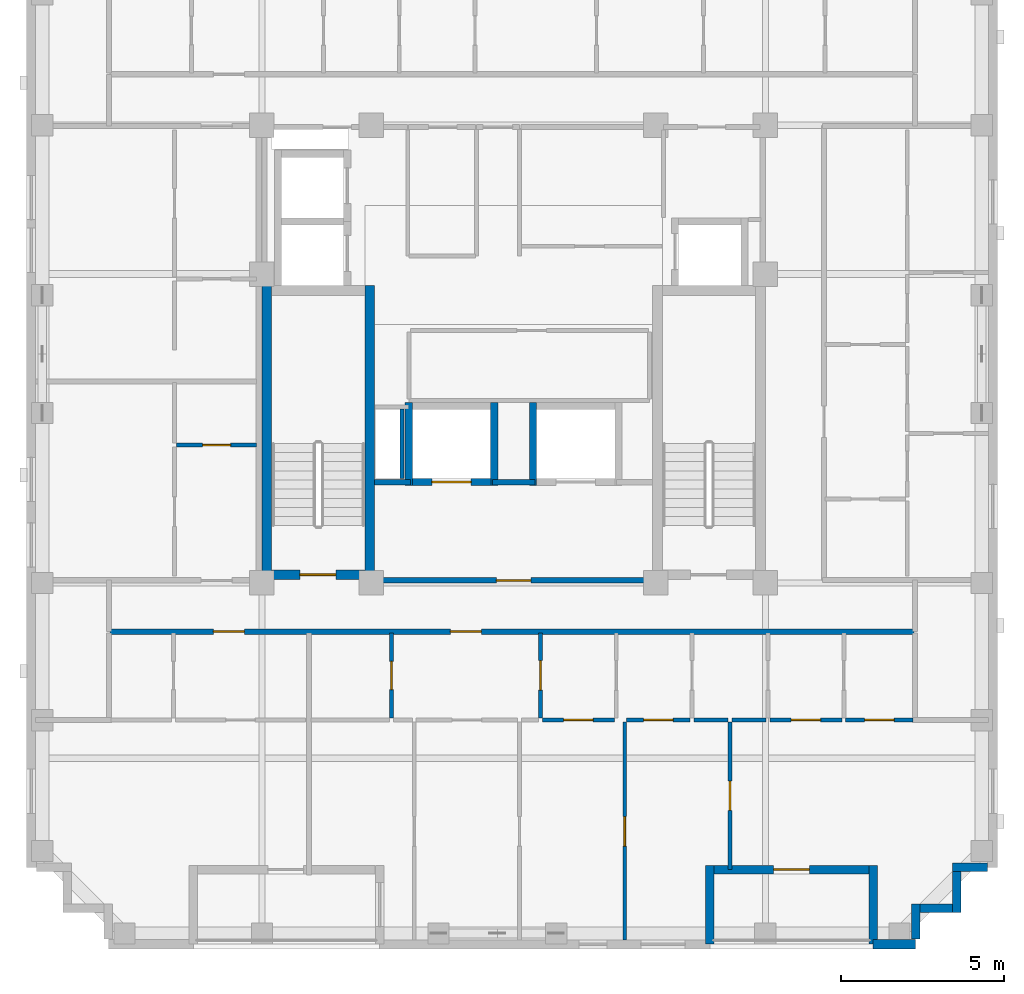
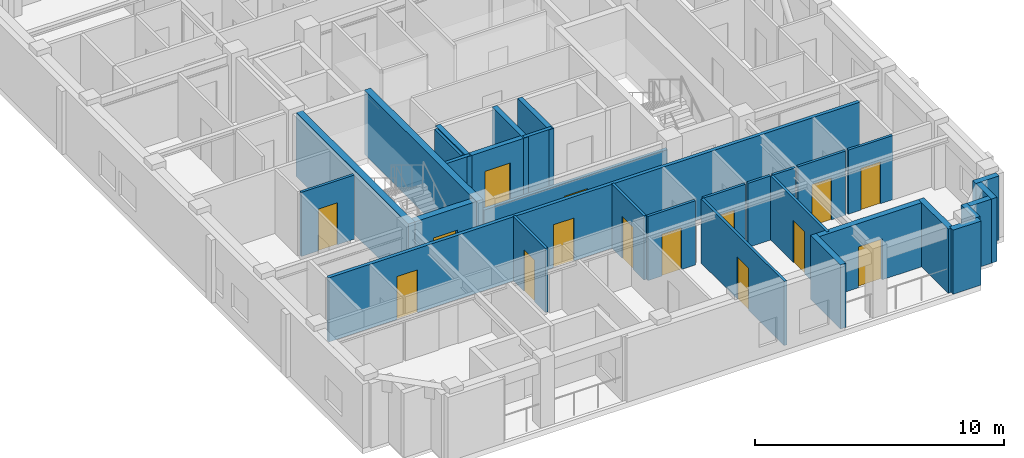
# One storey, part 3 of 11: 31 walls, 15 doors, 15 openings.
"""IFC4 building model written with IfcOpenShell, lengths in metres."""

from ifc_helpers import new_model, si_unit, derived_unit, direction, frame, frame_2d, origin, place, context, subcontext, project, spatial, rectangle, extrude, material, layer, layer_set, type_object, element, fill, save


model = new_model("IFC4")

# Units and contexts
model_context = context("Model", 3, precision=1e-05, world=origin(), true_north=direction((0.0, 1.0)))
body_context = subcontext(model_context, "Body", "Model", "MODEL_VIEW")
ifc_project = project(units=[si_unit("LENGTHUNIT", "METRE"), si_unit("AREAUNIT", "SQUARE_METRE"), si_unit("VOLUMEUNIT", "CUBIC_METRE"), si_unit("PLANEANGLEUNIT", "RADIAN"), si_unit("MASSUNIT", "GRAM", prefix="KILO"), derived_unit("THERMALTRANSMITTANCEUNIT", [(si_unit("MASSUNIT", "GRAM", prefix="KILO"), 1), (si_unit("TIMEUNIT", "SECOND"), -3), (si_unit("THERMODYNAMICTEMPERATUREUNIT", "KELVIN"), -1)])], contexts=[model_context])

# Site, building, storey
site_placement = place(None, origin())
site = spatial("IfcSite", under=ifc_project, at=site_placement, CompositionType="ELEMENT")
building_placement = place(site_placement, origin())
building = spatial("IfcBuilding", under=site, at=building_placement, Name="Korrvale Station Residences", CompositionType="ELEMENT")
storey_placement = place(building_placement, frame((0.0, 0.0, 244.5)))
storey = spatial("IfcBuildingStorey", under=building, at=storey_placement, Name="L71", CompositionType="ELEMENT", Elevation=244.5)

# Walls
ifc_material_1 = material(Name="Concrete C50/60", Category="concrete")
ifc_layer_1 = layer(ifc_material_1, 0.300048828125, Name="Concrete C50/60")
ifc_layer_set_1 = layer_set([ifc_layer_1], Name="Concrete C50/60")
wall_type_1 = type_object("IfcWallType", Name="WAL-CORE-300-C50", PredefinedType="SHEAR", material=ifc_layer_set_1)
for number, where, z_axis, x_axis, name in (
    (1, (17.949951171875, 15.10009765625, 0.0), (0.0, 0.0, 1.0), (0.0, 1.0, 0.0), "L71 ST-1 Core Shear Wall West"),
    (2, (21.10009765625, 15.10009765625, 0.0), (0.0, 0.0, 1.0), (0.0, 1.0, 0.0), "L71 ST-1 Core Shear Wall East"),
):
    element("IfcWall", number, at=place(storey_placement, frame(where, z_axis=z_axis, x_axis=x_axis)), inside=storey, type_object=wall_type_1, Name=name, PredefinedType="SHEAR", context=body_context, shape_type="SweptSolid", body=[
        extrude(rectangle(XDim=9.0, YDim=0.300048828125, at=frame_2d((4.5, 0.0))), origin(), (0.0, 0.0, 1.0), 3.139892578125),
    ])

# Wall, opening, door
wall_1_placement = place(storey_placement, frame((18.10009765625, 15.25, 0.0), z_axis=(0.0, 0.0, 1.0), x_axis=(1.0, 0.0, 0.0)))
wall_1 = element("IfcWall", 3, at=wall_1_placement, inside=storey, type_object=wall_type_1, Name="L71 ST-1 Core Shear Wall South", PredefinedType="SHEAR", context=body_context, shape_type="SweptSolid", body=[
    extrude(rectangle(XDim=2.849853515625, YDim=0.300048828125, at=frame_2d((1.4248046875, 0.0))), origin(), (0.0, 0.0, 1.0), 3.139892578125),
])
opening_1_placement = place(wall_1_placement, frame((0.860107421875, 0.0, 0.0)))
opening_1 = element("IfcOpeningElement", 4, at=opening_1_placement, cuts=wall_1, Name="Opening SD-1100", PredefinedType="OPENING", context=body_context, shape_type="SweptSolid", body=[
    extrude(rectangle(XDim=1.10009765625, YDim=2.050048828125, at=frame_2d((0.550048828125, 1.02490234375))), frame((0.0, 0.16015625, 0.0), z_axis=(0.0, -1.0, 0.0), x_axis=(1.0, 0.0, 0.0)), (0.0, 0.0, 1.0), 0.320068359375),
])
ifc_material_2 = material(Name="Hollow-metal fire-rated stair door with closer", Category="steel")
door_type_1 = type_object("IfcDoorType", Name="DR-STAIR-1100", OperationType="NOTDEFINED", PredefinedType="DOOR", material=ifc_material_2)
door_1_placement = place(opening_1_placement, origin())
door_1 = element("IfcDoor", 5, at=door_1_placement, inside=storey, type_object=door_type_1, Name="L71 ST-1 Exit Stair Door", OperationType="SINGLE_SWING_LEFT", OverallHeight=2.050048828125, OverallWidth=1.10009765625, PredefinedType="DOOR", context=body_context, shape_type="SweptSolid", body=[
    extrude(rectangle(XDim=1.10009765625, YDim=2.050048828125, at=frame_2d((0.550048828125, 1.02490234375))), frame((0.0, 0.02490234375, 0.0), z_axis=(0.0, -1.0, 0.0), x_axis=(1.0, 0.0, 0.0)), (0.0, 0.0, 1.0), 0.050048828125),
])
fill(opening_1, door_1)

# Wall
ifc_material_3 = material(Name="Precast concrete C45/55", Category="concrete")
ifc_layer_2 = layer(ifc_material_3, 0.260009765625, Name="Precast concrete C45/55")
ifc_layer_set_2 = layer_set([ifc_layer_2], Name="Precast concrete C45/55")
wall_type_2 = type_object("IfcWallType", Name="WAL-EXT-LOG260", PredefinedType="SOLIDWALL", material=ifc_layer_set_2)
wall_2_placement = place(storey_placement, frame((36.5, 3.9599609375, 0.0), z_axis=(0.0, 0.0, 1.0), x_axis=(0.0, 1.0, 0.0)))
element("IfcWall", 6, at=wall_2_placement, inside=storey, type_object=wall_type_2, Name="L71 Recessed Loggia Wall BAL-L71-S2-L", PredefinedType="SOLIDWALL", context=body_context, shape_type="SweptSolid", body=[
    extrude(rectangle(XDim=2.400146484375, YDim=0.260009765625, at=frame_2d((1.2001953125, 0.0))), origin(), (0.0, 0.0, 1.0), 3.139892578125),
])

# Wall, opening, door
wall_3_placement = place(storey_placement, frame((36.365966796875, 6.22998046875, 0.0), z_axis=(0.0, 0.0, 1.0), x_axis=(-1.0, 0.0, 0.0)))
wall_3 = element("IfcWall", 7, at=wall_3_placement, inside=storey, type_object=wall_type_2, Name="L71 Recessed Loggia Wall BAL-L71-S2-B", PredefinedType="SOLIDWALL", context=body_context, shape_type="SweptSolid", body=[
    extrude(rectangle(XDim=4.73193359375, YDim=0.260009765625, at=frame_2d((2.365966796875, 0.0))), origin(), (0.0, 0.0, 1.0), 3.139892578125),
])
opening_2_placement = place(wall_3_placement, frame((1.81591796875, 0.0, 0.0)))
opening_2 = element("IfcOpeningElement", 8, at=opening_2_placement, cuts=wall_3, Name="Opening BD-01", PredefinedType="OPENING", context=body_context, shape_type="SweptSolid", body=[
    extrude(rectangle(XDim=1.10009765625, YDim=2.0, at=frame_2d((0.550048828125, 1.0))), frame((0.0, 0.14013671875, 0.0), z_axis=(0.0, -1.0, 0.0), x_axis=(1.0, 0.0, 0.0)), (0.0, 0.0, 1.0), 0.280029296875),
])
ifc_material_4 = material(Name="Exterior thermally broken aluminium glazed balcony door", Category="aluminium")
door_type_2 = type_object("IfcDoorType", Name="DR-EXT-BAL", OperationType="NOTDEFINED", PredefinedType="DOOR", material=ifc_material_4)
door_2_placement = place(opening_2_placement, origin())
door_2 = element("IfcDoor", 9, at=door_2_placement, inside=storey, type_object=door_type_2, Name="L71 Loggia Balcony Door BAL-L71-S2", OperationType="SINGLE_SWING_RIGHT", OverallHeight=2.0, OverallWidth=1.10009765625, PredefinedType="DOOR", context=body_context, shape_type="SweptSolid", body=[
    extrude(rectangle(XDim=1.10009765625, YDim=2.0, at=frame_2d((0.550048828125, 1.0))), frame((0.0, 0.02490234375, 0.0), z_axis=(0.0, -1.0, 0.0), x_axis=(1.0, 0.0, 0.0)), (0.0, 0.0, 1.0), 0.050048828125),
])
fill(opening_2, door_2)

# Walls
wall_4_placement = place(storey_placement, frame((31.5, 6.360107421875, 0.0), z_axis=(0.0, 0.0, 1.0), x_axis=(0.0, -1.0, 0.0)))
element("IfcWall", 10, at=wall_4_placement, inside=storey, type_object=wall_type_2, Name="L71 Recessed Loggia Wall BAL-L71-S2-R", PredefinedType="SOLIDWALL", context=body_context, shape_type="SweptSolid", body=[
    extrude(rectangle(XDim=2.400146484375, YDim=0.260009765625, at=frame_2d((1.2001953125, 0.0))), origin(), (0.0, 0.0, 1.0), 3.139892578125),
])
wall_5_placement = place(storey_placement, frame((39.998046875, 6.300048828125, 0.0), z_axis=(0.0, 0.0, 1.0), x_axis=(-1.0, 0.0, 0.0)))
element("IfcWall", 11, at=wall_5_placement, inside=storey, type_object=wall_type_2, Name="L71 Serrated Corner Precast Step SE-1", PredefinedType="SOLIDWALL", context=body_context, shape_type="SweptSolid", body=[
    extrude(rectangle(XDim=1.078125, YDim=0.260009765625, at=frame_2d((0.5390625, 0.0))), origin(), (0.0, 0.0, 1.0), 3.139892578125),
])
wall_6_placement = place(storey_placement, frame((39.050048828125, 6.16796875, 0.0), z_axis=(0.0, 0.0, 1.0), x_axis=(0.0, -1.0, 0.0)))
element("IfcWall", 12, at=wall_6_placement, inside=storey, type_object=wall_type_2, Name="L71 Serrated Corner Precast Step SE-2", PredefinedType="SOLIDWALL", context=body_context, shape_type="SweptSolid", body=[
    extrude(rectangle(XDim=1.248046875, YDim=0.260009765625, at=frame_2d((0.6240234375, 0.0))), origin(), (0.0, 0.0, 1.0), 3.139892578125),
])
wall_7_placement = place(storey_placement, frame((38.91796875, 5.050048828125, 0.0), z_axis=(0.0, 0.0, 1.0), x_axis=(-1.0, 0.0, 0.0)))
element("IfcWall", 13, at=wall_7_placement, inside=storey, type_object=wall_type_2, Name="L71 Serrated Corner Precast Step SE-3", PredefinedType="SOLIDWALL", context=body_context, shape_type="SweptSolid", body=[
    extrude(rectangle(XDim=0.986083984375, YDim=0.260009765625, at=frame_2d((0.4931640625, 0.0))), origin(), (0.0, 0.0, 1.0), 3.139892578125),
])
wall_8_placement = place(storey_placement, frame((37.800048828125, 5.179931640625, 0.0), z_axis=(0.0, 0.0, 1.0), x_axis=(0.0, -1.0, 0.0)))
element("IfcWall", 14, at=wall_8_placement, inside=storey, type_object=wall_type_2, Name="L71 Serrated Corner Precast Step SE-4", PredefinedType="SOLIDWALL", context=body_context, shape_type="SweptSolid", body=[
    extrude(rectangle(XDim=1.077880859375, YDim=0.260009765625, at=frame_2d((0.5390625, 0.0))), origin(), (0.0, 0.0, 1.0), 3.139892578125),
])
ifc_layer_3 = layer(ifc_material_3, 0.300048828125, Name="Precast concrete C45/55")
ifc_layer_set_3 = layer_set([ifc_layer_3], Name="Precast concrete C45/55")
wall_type_3 = type_object("IfcWallType", Name="WAL-EXT-PC300", PredefinedType="SOLIDWALL", material=ifc_layer_set_3)
wall_9_placement = place(storey_placement, frame((37.800048828125, 3.949951171875, 0.0), z_axis=(0.0, 0.0, 1.0), x_axis=(-1.0, 0.0, 0.0)))
element("IfcWall", 15, at=wall_9_placement, inside=storey, type_object=wall_type_3, Name="L71 South Exterior Precast Wall 1", PredefinedType="SOLIDWALL", context=body_context, shape_type="SweptSolid", body=[
    extrude(rectangle(XDim=1.300048828125, YDim=0.300048828125, at=frame_2d((0.64990234375, 0.0))), origin(), (0.0, 0.0, 1.0), 3.139892578125),
])
ifc_material_5 = material(Name="Acoustic steel-stud gypsum board partition", Category="steel")
ifc_layer_4 = layer(ifc_material_5, 0.1201171875, Name="Acoustic steel-stud gypsum board partition")
ifc_layer_set_4 = layer_set([ifc_layer_4], Name="Acoustic steel-stud gypsum board partition")
wall_type_4 = type_object("IfcWallType", Name="WAL-PART-125", PredefinedType="PARTITIONING", material=ifc_layer_set_4)
wall_10_placement = place(storey_placement, frame((22.080078125, 18.199951171875, 0.0), z_axis=(0.0, 0.0, 1.0), x_axis=(0.0, 1.0, 0.0)))
element("IfcWall", 16, at=wall_10_placement, inside=storey, type_object=wall_type_4, Name="L71 Core Partition CW-RSWT", PredefinedType="PARTITIONING", context=body_context, shape_type="SweptSolid", body=[
    extrude(rectangle(XDim=2.1201171875, YDim=0.1201171875, at=frame_2d((1.06005859375, 0.0))), origin(), (0.0, 0.0, 1.0), 3.139892578125),
])

# Wall, opening, door
wall_11_placement = place(storey_placement, frame((21.759033203125, 10.8701171875, 0.0), z_axis=(0.0, 0.0, 1.0), x_axis=(0.0, 1.0, 0.0)))
wall_11 = element("IfcWall", 17, at=wall_11_placement, inside=storey, type_object=wall_type_4, Name="L71 Suite Partition U02-V01", PredefinedType="PARTITIONING", context=body_context, shape_type="SweptSolid", body=[
    extrude(rectangle(XDim=2.599853515625, YDim=0.1201171875, at=frame_2d((1.2998046875, 0.0))), origin(), (0.0, 0.0, 1.0), 3.139892578125),
])
opening_3_placement = place(wall_11_placement, frame((0.8701171875, 0.0, 0.0)))
opening_3 = element("IfcOpeningElement", 18, at=opening_3_placement, cuts=wall_11, Name="Opening DB-860", PredefinedType="OPENING", context=body_context, shape_type="SweptSolid", body=[
    extrude(rectangle(XDim=0.860107421875, YDim=2.050048828125, at=frame_2d((0.43017578125, 1.02490234375))), frame((0.0, 0.070068359375, 0.0), z_axis=(0.0, -1.0, 0.0), x_axis=(1.0, 0.0, 0.0)), (0.0, 0.0, 1.0), 0.14013671875),
])
ifc_material_6 = material(Name="Moisture-resistant solid-core bathroom door", Category="timber")
door_type_3 = type_object("IfcDoorType", Name="DR-BATH-860", OperationType="NOTDEFINED", PredefinedType="DOOR", material=ifc_material_6)
door_3_placement = place(opening_3_placement, origin())
door_3 = element("IfcDoor", 19, at=door_3_placement, inside=storey, type_object=door_type_3, Name="L71 Studio Apartment L71-U02 Bathroom Door", OperationType="SINGLE_SWING_LEFT", OverallHeight=2.050048828125, OverallWidth=0.860107421875, PredefinedType="DOOR", context=body_context, shape_type="SweptSolid", body=[
    extrude(rectangle(XDim=0.860107421875, YDim=2.050048828125, at=frame_2d((0.43017578125, 1.02490234375))), frame((0.0, 0.02490234375, 0.0), z_axis=(0.0, -1.0, 0.0), x_axis=(1.0, 0.0, 0.0)), (0.0, 0.0, 1.0), 0.050048828125),
])
fill(opening_3, door_3)

wall_12_placement = place(storey_placement, frame((26.319091796875, 10.8701171875, 0.0), z_axis=(0.0, 0.0, 1.0), x_axis=(0.0, 1.0, 0.0)))
wall_12 = element("IfcWall", 20, at=wall_12_placement, inside=storey, type_object=wall_type_4, Name="L71 Suite Partition U02-V12", PredefinedType="PARTITIONING", context=body_context, shape_type="SweptSolid", body=[
    extrude(rectangle(XDim=2.599853515625, YDim=0.1201171875, at=frame_2d((1.2998046875, 0.0))), origin(), (0.0, 0.0, 1.0), 3.139892578125),
])
opening_4_placement = place(wall_12_placement, frame((0.85009765625, 0.0, 0.0)))
opening_4 = element("IfcOpeningElement", 21, at=opening_4_placement, cuts=wall_12, Name="Opening DI-900", PredefinedType="OPENING", context=body_context, shape_type="SweptSolid", body=[
    extrude(rectangle(XDim=0.89990234375, YDim=2.050048828125, at=frame_2d((0.449951171875, 1.02490234375))), frame((0.0, 0.070068359375, 0.0), z_axis=(0.0, -1.0, 0.0), x_axis=(1.0, 0.0, 0.0)), (0.0, 0.0, 1.0), 0.14013671875),
])
ifc_material_7 = material(Name="Painted solid-core timber interior room door", Category="wood")
door_type_4 = type_object("IfcDoorType", Name="DR-INT-900", OperationType="NOTDEFINED", PredefinedType="DOOR", material=ifc_material_7)
door_4_placement = place(opening_4_placement, origin())
door_4 = element("IfcDoor", 22, at=door_4_placement, inside=storey, type_object=door_type_4, Name="L71 Studio Apartment L71-U02 Kitchen Door", OperationType="SINGLE_SWING_RIGHT", OverallHeight=2.050048828125, OverallWidth=0.89990234375, PredefinedType="DOOR", context=body_context, shape_type="SweptSolid", body=[
    extrude(rectangle(XDim=0.89990234375, YDim=2.050048828125, at=frame_2d((0.449951171875, 1.02490234375))), frame((0.0, 0.02490234375, 0.0), z_axis=(0.0, -1.0, 0.0), x_axis=(1.0, 0.0, 0.0)), (0.0, 0.0, 1.0), 0.050048828125),
])
fill(opening_4, door_4)

wall_13_placement = place(storey_placement, frame((26.37890625, 10.81005859375, 0.0), z_axis=(0.0, 0.0, 1.0), x_axis=(1.0, 0.0, 0.0)))
wall_13 = element("IfcWall", 23, at=wall_13_placement, inside=storey, type_object=wall_type_4, Name="L71 Suite Partition U02-H29", PredefinedType="PARTITIONING", context=body_context, shape_type="SweptSolid", body=[
    extrude(rectangle(XDim=2.2001953125, YDim=0.1201171875, at=frame_2d((1.10009765625, 0.0))), origin(), (0.0, 0.0, 1.0), 3.139892578125),
])
opening_5_placement = place(wall_13_placement, frame((0.64990234375, 0.0, 0.0)))
opening_5 = element("IfcOpeningElement", 24, at=opening_5_placement, cuts=wall_13, Name="Opening DI-900", PredefinedType="OPENING", context=body_context, shape_type="SweptSolid", body=[
    extrude(rectangle(XDim=0.89990234375, YDim=2.050048828125, at=frame_2d((0.449951171875, 1.02490234375))), frame((0.0, 0.070068359375, 0.0), z_axis=(0.0, -1.0, 0.0), x_axis=(1.0, 0.0, 0.0)), (0.0, 0.0, 1.0), 0.14013671875),
])
door_5_placement = place(opening_5_placement, origin())
door_5 = element("IfcDoor", 25, at=door_5_placement, inside=storey, type_object=door_type_4, Name="L71 Studio Apartment L71-U02 Wardrobe Storage Room Door", OperationType="SINGLE_SWING_LEFT", OverallHeight=2.050048828125, OverallWidth=0.89990234375, PredefinedType="DOOR", context=body_context, shape_type="SweptSolid", body=[
    extrude(rectangle(XDim=0.89990234375, YDim=2.050048828125, at=frame_2d((0.449951171875, 1.02490234375))), frame((0.0, 0.02490234375, 0.0), z_axis=(0.0, -1.0, 0.0), x_axis=(1.0, 0.0, 0.0)), (0.0, 0.0, 1.0), 0.050048828125),
])
fill(opening_5, door_5)

wall_14_placement = place(storey_placement, frame((28.958984375, 10.81005859375, 0.0), z_axis=(0.0, 0.0, 1.0), x_axis=(1.0, 0.0, 0.0)))
wall_14 = element("IfcWall", 26, at=wall_14_placement, inside=storey, type_object=wall_type_4, Name="L71 Suite Partition U02-H310", PredefinedType="PARTITIONING", context=body_context, shape_type="SweptSolid", body=[
    extrude(rectangle(XDim=1.93994140625, YDim=0.1201171875, at=frame_2d((0.969970703125, 0.0))), origin(), (0.0, 0.0, 1.0), 3.139892578125),
])
opening_6_placement = place(wall_14_placement, frame((0.52001953125, 0.0, 0.0)))
opening_6 = element("IfcOpeningElement", 27, at=opening_6_placement, cuts=wall_14, Name="Opening DI-900", PredefinedType="OPENING", context=body_context, shape_type="SweptSolid", body=[
    extrude(rectangle(XDim=0.89990234375, YDim=2.050048828125, at=frame_2d((0.449951171875, 1.02490234375))), frame((0.0, 0.070068359375, 0.0), z_axis=(0.0, -1.0, 0.0), x_axis=(1.0, 0.0, 0.0)), (0.0, 0.0, 1.0), 0.14013671875),
])
door_6_placement = place(opening_6_placement, origin())
door_6 = element("IfcDoor", 28, at=door_6_placement, inside=storey, type_object=door_type_4, Name="L71 Studio Apartment L71-U02 Wardrobe Storage Room Door", OperationType="SINGLE_SWING_LEFT", OverallHeight=2.050048828125, OverallWidth=0.89990234375, PredefinedType="DOOR", context=body_context, shape_type="SweptSolid", body=[
    extrude(rectangle(XDim=0.89990234375, YDim=2.050048828125, at=frame_2d((0.449951171875, 1.02490234375))), frame((0.0, 0.02490234375, 0.0), z_axis=(0.0, -1.0, 0.0), x_axis=(1.0, 0.0, 0.0)), (0.0, 0.0, 1.0), 0.050048828125),
])
fill(opening_6, door_6)

# Walls
for number, where, z_axis, x_axis, name in (
    (29, (31.01904296875, 10.81005859375, 0.0), (0.0, 0.0, 1.0), (1.0, 0.0, 0.0), "L71 Suite Partition U02-H410"),
    (30, (32.178955078125, 10.81005859375, 0.0), (0.0, 0.0, 1.0), (1.0, 0.0, 0.0), "L71 Suite Partition U02-H411"),
):
    element("IfcWall", number, at=place(storey_placement, frame(where, z_axis=z_axis, x_axis=x_axis)), inside=storey, type_object=wall_type_4, Name=name, PredefinedType="PARTITIONING", context=body_context, shape_type="SweptSolid", body=[
        extrude(rectangle(XDim=1.0400390625, YDim=0.1201171875, at=frame_2d((0.52001953125, 0.0))), origin(), (0.0, 0.0, 1.0), 3.139892578125),
    ])

# Wall, opening, door
wall_15_placement = place(storey_placement, frame((33.339111328125, 10.81005859375, 0.0), z_axis=(0.0, 0.0, 1.0), x_axis=(1.0, 0.0, 0.0)))
wall_15 = element("IfcWall", 31, at=wall_15_placement, inside=storey, type_object=wall_type_4, Name="L71 Suite Partition U02-H511", PredefinedType="PARTITIONING", context=body_context, shape_type="SweptSolid", body=[
    extrude(rectangle(XDim=2.199951171875, YDim=0.1201171875, at=frame_2d((1.10009765625, 0.0))), origin(), (0.0, 0.0, 1.0), 3.139892578125),
])
opening_7_placement = place(wall_15_placement, frame((0.64990234375, 0.0, 0.0)))
opening_7 = element("IfcOpeningElement", 32, at=opening_7_placement, cuts=wall_15, Name="Opening DI-900", PredefinedType="OPENING", context=body_context, shape_type="SweptSolid", body=[
    extrude(rectangle(XDim=0.89990234375, YDim=2.050048828125, at=frame_2d((0.449951171875, 1.02490234375))), frame((0.0, 0.070068359375, 0.0), z_axis=(0.0, -1.0, 0.0), x_axis=(1.0, 0.0, 0.0)), (0.0, 0.0, 1.0), 0.14013671875),
])
door_7_placement = place(opening_7_placement, origin())
door_7 = element("IfcDoor", 33, at=door_7_placement, inside=storey, type_object=door_type_4, Name="L71 Studio Apartment L71-U02 Wardrobe Storage Room Door", OperationType="SINGLE_SWING_RIGHT", OverallHeight=2.050048828125, OverallWidth=0.89990234375, PredefinedType="DOOR", context=body_context, shape_type="SweptSolid", body=[
    extrude(rectangle(XDim=0.89990234375, YDim=2.050048828125, at=frame_2d((0.449951171875, 1.02490234375))), frame((0.0, 0.02490234375, 0.0), z_axis=(0.0, -1.0, 0.0), x_axis=(1.0, 0.0, 0.0)), (0.0, 0.0, 1.0), 0.050048828125),
])
fill(opening_7, door_7)

wall_16_placement = place(storey_placement, frame((35.658935546875, 10.81005859375, 0.0), z_axis=(0.0, 0.0, 1.0), x_axis=(1.0, 0.0, 0.0)))
wall_16 = element("IfcWall", 34, at=wall_16_placement, inside=storey, type_object=wall_type_4, Name="L71 Suite Partition U02-H611", PredefinedType="PARTITIONING", context=body_context, shape_type="SweptSolid", body=[
    extrude(rectangle(XDim=2.06103515625, YDim=0.1201171875, at=frame_2d((1.030517578125, 0.0))), origin(), (0.0, 0.0, 1.0), 3.139892578125),
])
opening_8_placement = place(wall_16_placement, frame((0.5810546875, 0.0, 0.0)))
opening_8 = element("IfcOpeningElement", 35, at=opening_8_placement, cuts=wall_16, Name="Opening DI-900", PredefinedType="OPENING", context=body_context, shape_type="SweptSolid", body=[
    extrude(rectangle(XDim=0.89990234375, YDim=2.050048828125, at=frame_2d((0.449951171875, 1.02490234375))), frame((0.0, 0.070068359375, 0.0), z_axis=(0.0, -1.0, 0.0), x_axis=(1.0, 0.0, 0.0)), (0.0, 0.0, 1.0), 0.14013671875),
])
door_8_placement = place(opening_8_placement, origin())
door_8 = element("IfcDoor", 36, at=door_8_placement, inside=storey, type_object=door_type_4, Name="L71 Studio Apartment L71-U02 Utility and Laundry Room Door", OperationType="SINGLE_SWING_LEFT", OverallHeight=2.050048828125, OverallWidth=0.89990234375, PredefinedType="DOOR", context=body_context, shape_type="SweptSolid", body=[
    extrude(rectangle(XDim=0.89990234375, YDim=2.050048828125, at=frame_2d((0.449951171875, 1.02490234375))), frame((0.0, 0.02490234375, 0.0), z_axis=(0.0, -1.0, 0.0), x_axis=(1.0, 0.0, 0.0)), (0.0, 0.0, 1.0), 0.050048828125),
])
fill(opening_8, door_8)

wall_17_placement = place(storey_placement, frame((28.89892578125, 4.080078125, 0.0), z_axis=(0.0, 0.0, 1.0), x_axis=(0.0, 1.0, 0.0)))
wall_17 = element("IfcWall", 37, at=wall_17_placement, inside=storey, type_object=wall_type_4, Name="L71 Suite Partition U02-V910", PredefinedType="PARTITIONING", context=body_context, shape_type="SweptSolid", body=[
    extrude(rectangle(XDim=6.669921875, YDim=0.1201171875, at=frame_2d((3.3349609375, 0.0))), origin(), (0.0, 0.0, 1.0), 3.139892578125),
])
opening_9_placement = place(wall_17_placement, frame((2.8701171875, 0.0, 0.0)))
opening_9 = element("IfcOpeningElement", 38, at=opening_9_placement, cuts=wall_17, Name="Opening DI-900", PredefinedType="OPENING", context=body_context, shape_type="SweptSolid", body=[
    extrude(rectangle(XDim=0.89990234375, YDim=2.050048828125, at=frame_2d((0.449951171875, 1.02490234375))), frame((0.0, 0.070068359375, 0.0), z_axis=(0.0, -1.0, 0.0), x_axis=(1.0, 0.0, 0.0)), (0.0, 0.0, 1.0), 0.14013671875),
])
door_9_placement = place(opening_9_placement, origin())
door_9 = element("IfcDoor", 39, at=door_9_placement, inside=storey, type_object=door_type_4, Name="L71 Studio Apartment L71-U02 Formal Dining Room Door", OperationType="SINGLE_SWING_RIGHT", OverallHeight=2.050048828125, OverallWidth=0.89990234375, PredefinedType="DOOR", context=body_context, shape_type="SweptSolid", body=[
    extrude(rectangle(XDim=0.89990234375, YDim=2.050048828125, at=frame_2d((0.449951171875, 1.02490234375))), frame((0.0, 0.02490234375, 0.0), z_axis=(0.0, -1.0, 0.0), x_axis=(1.0, 0.0, 0.0)), (0.0, 0.0, 1.0), 0.050048828125),
])
fill(opening_9, door_9)

wall_18_placement = place(storey_placement, frame((32.118896484375, 6.22998046875, 0.0), z_axis=(0.0, 0.0, 1.0), x_axis=(0.0, 1.0, 0.0)))
wall_18 = element("IfcWall", 40, at=wall_18_placement, inside=storey, type_object=wall_type_4, Name="L71 Suite Partition U02-V1011", PredefinedType="PARTITIONING", context=body_context, shape_type="SweptSolid", body=[
    extrude(rectangle(XDim=4.52001953125, YDim=0.1201171875, at=frame_2d((2.260009765625, 0.0))), origin(), (0.0, 0.0, 1.0), 3.139892578125),
])
opening_10_placement = place(wall_18_placement, frame((1.81005859375, 0.0, 0.0)))
opening_10 = element("IfcOpeningElement", 41, at=opening_10_placement, cuts=wall_18, Name="Opening DI-900", PredefinedType="OPENING", context=body_context, shape_type="SweptSolid", body=[
    extrude(rectangle(XDim=0.89990234375, YDim=2.050048828125, at=frame_2d((0.449951171875, 1.02490234375))), frame((0.0, 0.070068359375, 0.0), z_axis=(0.0, -1.0, 0.0), x_axis=(1.0, 0.0, 0.0)), (0.0, 0.0, 1.0), 0.14013671875),
])
door_10_placement = place(opening_10_placement, origin())
door_10 = element("IfcDoor", 42, at=door_10_placement, inside=storey, type_object=door_type_4, Name="L71 Studio Apartment L71-U02 Formal Dining Room Door", OperationType="SINGLE_SWING_LEFT", OverallHeight=2.050048828125, OverallWidth=0.89990234375, PredefinedType="DOOR", context=body_context, shape_type="SweptSolid", body=[
    extrude(rectangle(XDim=0.89990234375, YDim=2.050048828125, at=frame_2d((0.449951171875, 1.02490234375))), frame((0.0, 0.02490234375, 0.0), z_axis=(0.0, -1.0, 0.0), x_axis=(1.0, 0.0, 0.0)), (0.0, 0.0, 1.0), 0.050048828125),
])
fill(opening_10, door_10)

wall_19_placement = place(storey_placement, frame((15.18994140625, 19.216064453125, 0.0), z_axis=(0.0, 0.0, 1.0), x_axis=(1.0, 0.0, 0.0)))
wall_19 = element("IfcWall", 43, at=wall_19_placement, inside=storey, type_object=wall_type_4, Name="L71 Suite Partition U04-H01", PredefinedType="PARTITIONING", context=body_context, shape_type="SweptSolid", body=[
    extrude(rectangle(XDim=2.449951171875, YDim=0.1201171875, at=frame_2d((1.22509765625, 0.0))), origin(), (0.0, 0.0, 1.0), 3.139892578125),
])
opening_11_placement = place(wall_19_placement, frame((0.794921875, 0.0, 0.0)))
opening_11 = element("IfcOpeningElement", 44, at=opening_11_placement, cuts=wall_19, Name="Opening DB-860", PredefinedType="OPENING", context=body_context, shape_type="SweptSolid", body=[
    extrude(rectangle(XDim=0.860107421875, YDim=2.050048828125, at=frame_2d((0.43017578125, 1.02490234375))), frame((0.0, 0.070068359375, 0.0), z_axis=(0.0, -1.0, 0.0), x_axis=(1.0, 0.0, 0.0)), (0.0, 0.0, 1.0), 0.14013671875),
])
door_11_placement = place(opening_11_placement, origin())
door_11 = element("IfcDoor", 45, at=door_11_placement, inside=storey, type_object=door_type_3, Name="L71 Studio Apartment L71-U04 Bathroom Door", OperationType="SINGLE_SWING_RIGHT", OverallHeight=2.050048828125, OverallWidth=0.860107421875, PredefinedType="DOOR", context=body_context, shape_type="SweptSolid", body=[
    extrude(rectangle(XDim=0.860107421875, YDim=2.050048828125, at=frame_2d((0.43017578125, 1.02490234375))), frame((0.0, 0.02490234375, 0.0), z_axis=(0.0, -1.0, 0.0), x_axis=(1.0, 0.0, 0.0)), (0.0, 0.0, 1.0), 0.050048828125),
])
fill(opening_11, door_11)

ifc_material_8 = material(Name="Fire-rated twin-stud gypsum and mineral wool shaftwall assembly", Category="gypsum")
ifc_layer_5 = layer(ifc_material_8, 0.159912109375, Name="Fire-rated twin-stud gypsum and mineral wool shaftwall assembly")
ifc_layer_set_5 = layer_set([ifc_layer_5], Name="Fire-rated twin-stud gypsum and mineral wool shaftwall assembly")
wall_type_5 = type_object("IfcWallType", Name="WAL-PART-200", PredefinedType="PARTITIONING", material=ifc_layer_set_5)
wall_20_placement = place(storey_placement, frame((21.25, 15.080078125, 0.0), z_axis=(0.0, 0.0, 1.0), x_axis=(1.0, 0.0, 0.0)))
wall_20 = element("IfcWall", 46, at=wall_20_placement, inside=storey, type_object=wall_type_5, Name="L71 Core Partition CW-FFL-S", PredefinedType="PARTITIONING", context=body_context, shape_type="SweptSolid", body=[
    extrude(rectangle(XDim=8.5, YDim=0.159912109375, at=frame_2d((4.25, 0.0))), origin(), (0.0, 0.0, 1.0), 2.66796875),
])
opening_12_placement = place(wall_20_placement, frame((3.72509765625, 0.0, 0.0)))
opening_12 = element("IfcOpeningElement", 47, at=opening_12_placement, cuts=wall_20, Name="Opening FD-1050", PredefinedType="OPENING", context=body_context, shape_type="SweptSolid", body=[
    extrude(rectangle(XDim=1.050048828125, YDim=2.050048828125, at=frame_2d((0.52490234375, 1.02490234375))), frame((0.0, 0.08984375, 0.0), z_axis=(0.0, -1.0, 0.0), x_axis=(1.0, 0.0, 0.0)), (0.0, 0.0, 1.0), 0.179931640625),
])
ifc_material_9 = material(Name="Fire-rated mineral-core timber lobby door", Category="wood")
door_type_5 = type_object("IfcDoorType", Name="DR-CORE-1050", OperationType="NOTDEFINED", PredefinedType="DOOR", material=ifc_material_9)
door_12_placement = place(opening_12_placement, origin())
door_12 = element("IfcDoor", 48, at=door_12_placement, inside=storey, type_object=door_type_5, Name="L71 Firefighting Lobby Entry Door", OperationType="SINGLE_SWING_RIGHT", OverallHeight=2.050048828125, OverallWidth=1.050048828125, PredefinedType="DOOR", context=body_context, shape_type="SweptSolid", body=[
    extrude(rectangle(XDim=1.050048828125, YDim=2.050048828125, at=frame_2d((0.52490234375, 1.02490234375))), frame((0.0, 0.02490234375, 0.0), z_axis=(0.0, -1.0, 0.0), x_axis=(1.0, 0.0, 0.0)), (0.0, 0.0, 1.0), 0.050048828125),
])
fill(opening_12, door_12)

# Walls
wall_21_placement = place(storey_placement, frame((21.25, 18.080078125, 0.0), z_axis=(0.0, 0.0, 1.0), x_axis=(1.0, 0.0, 0.0)))
element("IfcWall", 49, at=wall_21_placement, inside=storey, type_object=wall_type_5, Name="L71 Core Partition CW-FFL-N1", PredefinedType="PARTITIONING", context=body_context, shape_type="SweptSolid", body=[
    extrude(rectangle(XDim=1.10009765625, YDim=0.159912109375, at=frame_2d((0.550048828125, 0.0))), origin(), (0.0, 0.0, 1.0), 3.139892578125),
])
wall_22_placement = place(storey_placement, frame((24.85009765625, 18.080078125, 0.0), z_axis=(0.0, 0.0, 1.0), x_axis=(1.0, 0.0, 0.0)))
element("IfcWall", 50, at=wall_22_placement, inside=storey, type_object=wall_type_5, Name="L71 Core Partition CW-FFL-N2", PredefinedType="PARTITIONING", context=body_context, shape_type="SweptSolid", body=[
    extrude(rectangle(XDim=1.2998046875, YDim=0.159912109375, at=frame_2d((0.64990234375, 0.0))), origin(), (0.0, 0.0, 1.0), 3.139892578125),
])

# Wall, openings, doors
wall_23_placement = place(storey_placement, frame((13.14990234375, 13.510009765625, 0.0), z_axis=(0.0, 0.0, 1.0), x_axis=(1.0, 0.0, 0.0)))
wall_23 = element("IfcWall", 51, at=wall_23_placement, inside=storey, type_object=wall_type_5, Name="L71 Rated Corridor Wall S", PredefinedType="PARTITIONING", context=body_context, shape_type="SweptSolid", body=[
    extrude(rectangle(XDim=24.60009765625, YDim=0.159912109375, at=frame_2d((12.300048828125, 0.0))), origin(), (0.0, 0.0, 1.0), 3.139892578125),
])
opening_13_placement = place(wall_23_placement, frame((3.1650390625, 0.0, 0.0)))
opening_13 = element("IfcOpeningElement", 52, at=opening_13_placement, cuts=wall_23, Name="Opening UD-950", PredefinedType="OPENING", context=body_context, shape_type="SweptSolid", body=[
    extrude(rectangle(XDim=0.949951171875, YDim=2.10009765625, at=frame_2d((0.47509765625, 1.050048828125))), frame((0.0, 0.08984375, 0.0), z_axis=(0.0, -1.0, 0.0), x_axis=(1.0, 0.0, 0.0)), (0.0, 0.0, 1.0), 0.179931640625),
])
opening_14_placement = place(wall_23_placement, frame((10.4140625, 0.0, 0.0)))
opening_14 = element("IfcOpeningElement", 53, at=opening_14_placement, cuts=wall_23, Name="Opening UD-950", PredefinedType="OPENING", context=body_context, shape_type="SweptSolid", body=[
    extrude(rectangle(XDim=0.949951171875, YDim=2.10009765625, at=frame_2d((0.47509765625, 1.050048828125))), frame((0.0, 0.08984375, 0.0), z_axis=(0.0, -1.0, 0.0), x_axis=(1.0, 0.0, 0.0)), (0.0, 0.0, 1.0), 0.179931640625),
])
ifc_material_10 = material(Name="Solid-core acoustic oak apartment entrance door", Category="timber")
door_type_6 = type_object("IfcDoorType", Name="DR-UNIT-950", OperationType="NOTDEFINED", PredefinedType="DOOR", material=ifc_material_10)
door_13_placement = place(opening_13_placement, origin())
door_13 = element("IfcDoor", 54, at=door_13_placement, inside=storey, type_object=door_type_6, Name="L71 Apartment L71-U01 Entrance Door", OperationType="SINGLE_SWING_LEFT", OverallHeight=2.10009765625, OverallWidth=0.949951171875, PredefinedType="DOOR", context=body_context, shape_type="SweptSolid", body=[
    extrude(rectangle(XDim=0.949951171875, YDim=2.10009765625, at=frame_2d((0.47509765625, 1.050048828125))), frame((0.0, 0.02490234375, 0.0), z_axis=(0.0, -1.0, 0.0), x_axis=(1.0, 0.0, 0.0)), (0.0, 0.0, 1.0), 0.050048828125),
])
fill(opening_13, door_13)
door_14_placement = place(opening_14_placement, origin())
door_14 = element("IfcDoor", 55, at=door_14_placement, inside=storey, type_object=door_type_6, Name="L71 Apartment L71-U02 Entrance Door", OperationType="SINGLE_SWING_RIGHT", OverallHeight=2.10009765625, OverallWidth=0.949951171875, PredefinedType="DOOR", context=body_context, shape_type="SweptSolid", body=[
    extrude(rectangle(XDim=0.949951171875, YDim=2.10009765625, at=frame_2d((0.47509765625, 1.050048828125))), frame((0.0, 0.02490234375, 0.0), z_axis=(0.0, -1.0, 0.0), x_axis=(1.0, 0.0, 0.0)), (0.0, 0.0, 1.0), 0.050048828125),
])
fill(opening_14, door_14)

# Wall, opening, door
ifc_layer_6 = layer(ifc_material_1, 0.219970703125, Name="Concrete C50/60")
ifc_layer_set_6 = layer_set([ifc_layer_6], Name="Concrete C50/60")
wall_type_6 = type_object("IfcWallType", Name="WAL-SHAFT-220-C50", PredefinedType="SHEAR", material=ifc_layer_set_6)
wall_24_placement = place(storey_placement, frame((22.39990234375, 18.090087890625, 0.0), z_axis=(0.0, 0.0, 1.0), x_axis=(1.0, 0.0, 0.0)))
wall_24 = element("IfcWall", 56, at=wall_24_placement, inside=storey, type_object=wall_type_6, Name="L71 Elevator FFL-1 Hoistway Wall South", PredefinedType="SHEAR", context=body_context, shape_type="SweptSolid", body=[
    extrude(rectangle(XDim=2.400146484375, YDim=0.219970703125, at=frame_2d((1.2001953125, 0.0))), origin(), (0.0, 0.0, 1.0), 3.139892578125),
])
opening_15_placement = place(wall_24_placement, frame((0.60009765625, 0.0, 0.0)))
opening_15 = element("IfcOpeningElement", 57, at=opening_15_placement, cuts=wall_24, Name="Opening LD-FF1200", PredefinedType="OPENING", context=body_context, shape_type="SweptSolid", body=[
    extrude(rectangle(XDim=1.199951171875, YDim=2.14990234375, at=frame_2d((0.60009765625, 1.074951171875))), frame((0.0, 0.1201171875, 0.0), z_axis=(0.0, -1.0, 0.0), x_axis=(1.0, 0.0, 0.0)), (0.0, 0.0, 1.0), 0.239990234375),
])
ifc_material_11 = material(Name="Stainless-steel firefighter elevator landing sliding door", Category="steel")
door_type_7 = type_object("IfcDoorType", Name="DR-LIFT-FF1200", OperationType="SLIDING_TO_LEFT", PredefinedType="DOOR", material=ifc_material_11)
door_15_placement = place(opening_15_placement, origin())
door_15 = element("IfcDoor", 58, at=door_15_placement, inside=storey, type_object=door_type_7, Name="L71 Elevator FFL-1 Sliding Landing Door", OperationType="SLIDING_TO_LEFT", OverallHeight=2.14990234375, OverallWidth=1.199951171875, PredefinedType="DOOR", context=body_context, shape_type="SweptSolid", body=[
    extrude(rectangle(XDim=1.199951171875, YDim=2.14990234375, at=frame_2d((0.60009765625, 1.074951171875))), frame((0.0, 0.02490234375, 0.0), z_axis=(0.0, -1.0, 0.0), x_axis=(1.0, 0.0, 0.0)), (0.0, 0.0, 1.0), 0.050048828125),
])
fill(opening_15, door_15)

# Walls
for number, where, z_axis, x_axis, name in (
    (59, (22.2900390625, 17.97998046875, 0.0), (0.0, 0.0, 1.0), (0.0, 1.0, 0.0), "L71 Elevator FFL-1 Hoistway Wall West"),
    (60, (24.909912109375, 17.97998046875, 0.0), (0.0, 0.0, 1.0), (0.0, 1.0, 0.0), "L71 Elevator FFL-1 Hoistway Wall East"),
    (61, (26.090087890625, 17.97998046875, 0.0), (0.0, 0.0, 1.0), (0.0, 1.0, 0.0), "L71 Elevator FFL-2 Hoistway Wall West"),
):
    element("IfcWall", number, at=place(storey_placement, frame(where, z_axis=z_axis, x_axis=x_axis)), inside=storey, type_object=wall_type_6, Name=name, PredefinedType="SHEAR", context=body_context, shape_type="SweptSolid", body=[
        extrude(rectangle(XDim=2.5400390625, YDim=0.219970703125, at=frame_2d((1.27001953125, 0.0))), origin(), (0.0, 0.0, 1.0), 3.139892578125),
    ])

save(model, "model.ifc")
